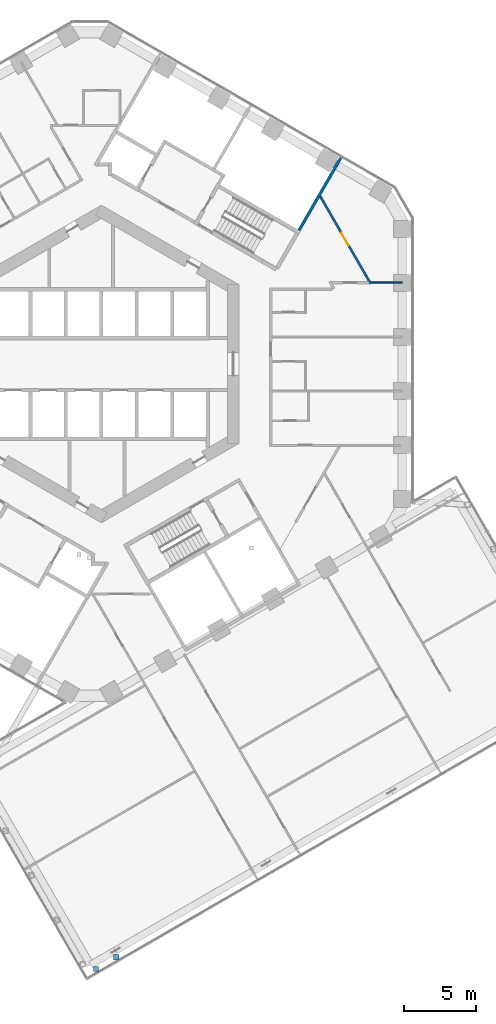
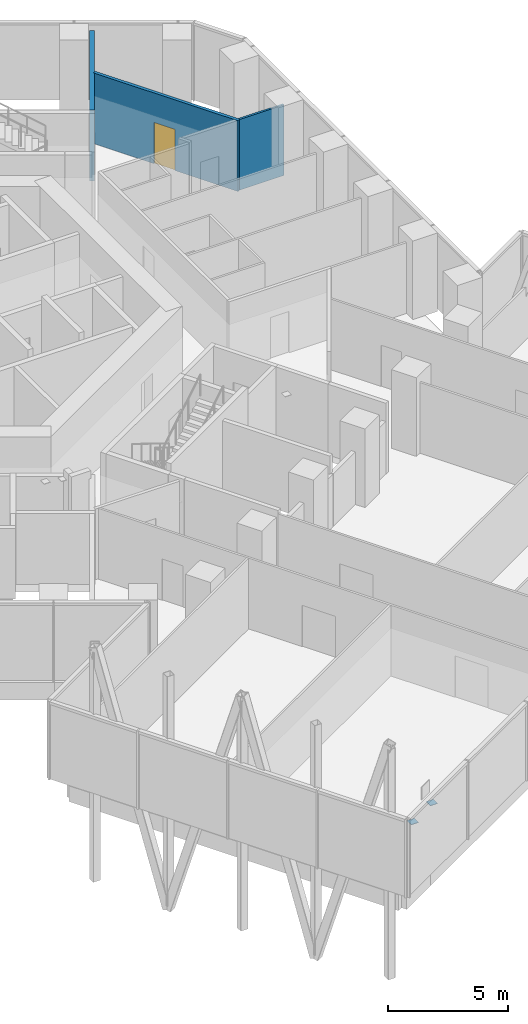
# One storey, part 22 of 27: 3 walls, 2 discrete accessories, 1 door, 1 opening.
"""IFC4 building model written with IfcOpenShell, lengths in metres."""

from ifc_helpers import new_model, si_unit, direction, frame, frame_2d, origin, origin_2d, place, context, subcontext, project, spatial, rectangle, extrude, material, layer, layer_set, type_object, element, fill, save


model = new_model("IFC4")

# Units and contexts
model_context = context("Model", 3, precision=1e-05, world=origin(), true_north=direction((0.0, 1.0)))
body_context = subcontext(model_context, "Body", "Model", "MODEL_VIEW")
ifc_project = project(units=[si_unit("LENGTHUNIT", "METRE"), si_unit("AREAUNIT", "SQUARE_METRE"), si_unit("VOLUMEUNIT", "CUBIC_METRE"), si_unit("PLANEANGLEUNIT", "RADIAN"), si_unit("MASSUNIT", "GRAM", prefix="KILO")], contexts=[model_context])

# Site, building, storey
site_placement = place(None, origin())
site = spatial("IfcSite", under=ifc_project, at=site_placement, CompositionType="ELEMENT")
building_placement = place(site_placement, origin())
building = spatial("IfcBuilding", under=site, at=building_placement, Name="Ayvan Gate Tower", CompositionType="ELEMENT")
storey_placement = place(building_placement, frame((0.0, 0.0, 70.300048828125)))
storey = spatial("IfcBuildingStorey", under=building, at=storey_placement, Name="L18", CompositionType="ELEMENT", Elevation=70.300048828125)

# Wall, opening, door
ifc_material_1 = material(Name="Plasterboard on steel stud", Category="steel")
ifc_layer_1 = layer(ifc_material_1, 0.14990234375)
ifc_layer_set_1 = layer_set([ifc_layer_1], Name="Plasterboard on steel stud")
wall_type_1 = type_object("IfcWallType", Name="WT-CORR-150", PredefinedType="PARTITIONING", material=ifc_layer_set_1)
wall_1_placement = place(storey_placement, frame((15.10986328125, 11.597900390625, 0.0), z_axis=(0.0, 0.0, 1.0), x_axis=(0.499976825411, -0.866038783226, 0.0)))
wall_1 = element("IfcWall", 1, at=wall_1_placement, inside=storey, type_object=wall_type_1, Name="IW-L18-126", PredefinedType="PARTITIONING", context=body_context, shape_type="SweptSolid", body=[
    extrude(rectangle(XDim=6.978759765625, YDim=0.14990234375, at=frame_2d((3.4892578125, 0.0))), origin(), (0.0, 0.0, 1.0), 3.599853515625),
])
opening_placement = place(wall_1_placement, frame((2.9345703125, 0.0, 0.0)))
opening = element("IfcOpeningElement", 2, at=opening_placement, cuts=wall_1, Name="Opening L18-D23", PredefinedType="OPENING", context=body_context, shape_type="SweptSolid", body=[
    extrude(rectangle(XDim=1.0, YDim=2.10009765625, at=frame_2d((0.5, 1.050048828125))), frame((0.0, 0.0849609375, 0.0), z_axis=(0.0, -1.0, 0.0), x_axis=(1.0, 0.0, 0.0)), (0.0, 0.0, 1.0), 0.169921875),
])
ifc_material_2 = material(Name="Timber door leaf", Category="wood")
door_type = type_object("IfcDoorType", Name="DT-1000", OperationType="NOTDEFINED", PredefinedType="DOOR", material=ifc_material_2)
door_placement = place(opening_placement, origin())
door = element("IfcDoor", 3, at=door_placement, inside=storey, type_object=door_type, Name="ID-L18-023", OperationType="SINGLE_SWING_LEFT", OverallHeight=2.10009765625, OverallWidth=1.0, PredefinedType="DOOR", context=body_context, shape_type="SweptSolid", body=[
    extrude(rectangle(XDim=1.0, YDim=2.10009765625, at=frame_2d((0.5, 1.050048828125))), frame((0.0, 0.02490234375, 0.0), z_axis=(0.0, -1.0, 0.0), x_axis=(1.0, 0.0, 0.0)), (0.0, 0.0, 1.0), 0.050048828125),
])
fill(opening, door)

# Walls
ifc_layer_2 = layer(ifc_material_1, 0.10009765625)
ifc_layer_set_2 = layer_set([ifc_layer_2], Name="Plasterboard on steel stud")
wall_type_2 = type_object("IfcWallType", Name="WT-PART-100", PredefinedType="PARTITIONING", material=ifc_layer_set_2)
wall_2_placement = place(storey_placement, frame((18.63671875, 5.618896484375, 0.0), z_axis=(0.0, 0.0, 1.0), x_axis=(1.0, 0.0, 0.0)))
element("IfcWall", 4, at=wall_2_placement, inside=storey, type_object=wall_type_2, Name="IW-L18-132", PredefinedType="PARTITIONING", context=body_context, shape_type="SweptSolid", body=[
    extrude(rectangle(XDim=2.14794921875, YDim=0.10009765625, at=frame_2d((1.073974609375, 0.0))), origin(), (0.0, 0.0, 1.0), 3.599853515625),
])
ifc_layer_3 = layer(ifc_material_1, 0.199951171875)
ifc_layer_set_3 = layer_set([ifc_layer_3], Name="Plasterboard on steel stud")
wall_type_3 = type_object("IfcWallType", Name="WT-PLUMB-200", PredefinedType="PLUMBINGWALL", material=ifc_layer_set_3)
wall_3_placement = place(storey_placement, frame((13.64794921875, 9.23876953125, 0.0), z_axis=(0.0, 0.0, 1.0), x_axis=(0.499977455708, 0.866038419346, 0.0)))
element("IfcWall", 5, at=wall_3_placement, inside=storey, type_object=wall_type_3, Name="IW-L18-127", PredefinedType="PLUMBINGWALL", context=body_context, shape_type="SweptSolid", body=[
    extrude(rectangle(XDim=5.773681640625, YDim=0.199951171875, at=frame_2d((2.88671875, 0.0))), origin(), (0.0, 0.0, 1.0), 3.599853515625),
])

# Discrete accessories
ifc_material_3 = material(Name="Steel S460ML", Category="steel")
ifc_layer_4 = layer(ifc_material_3, 0.02001953125)
ifc_layer_set_4 = layer_set([ifc_layer_4], Name="Steel S460ML")
discrete_accessory_type = type_object("IfcDiscreteAccessoryType", Name="Sky bar end cap plate", PredefinedType="BRACKET", material=ifc_layer_set_4)
for number, where, z_axis, x_axis, name in (
    (6, (1.027099609375, -40.97900390625, 3.199951171875), (0.0, 0.0, 1.0), (1.0, 0.0, 0.0), "End cap SBX1-C-P-3:EC1"),
    (7, (-0.3583984375, -41.779052734375, 3.199951171875), (0.0, 0.0, 1.0), (1.0, 0.0, 0.0), "End cap SBX1-C-P-4:EC1"),
):
    element("IfcDiscreteAccessory", number, at=place(storey_placement, frame(where, z_axis=z_axis, x_axis=x_axis)), inside=storey, type_object=discrete_accessory_type, Name=name, PredefinedType="BRACKET", context=body_context, shape_type="SweptSolid", body=[
        extrude(rectangle(XDim=0.35009765625, YDim=0.35009765625, at=origin_2d()), origin(), (0.0, 0.0, 1.0), 0.02001953125),
    ])

save(model, "model.ifc")
